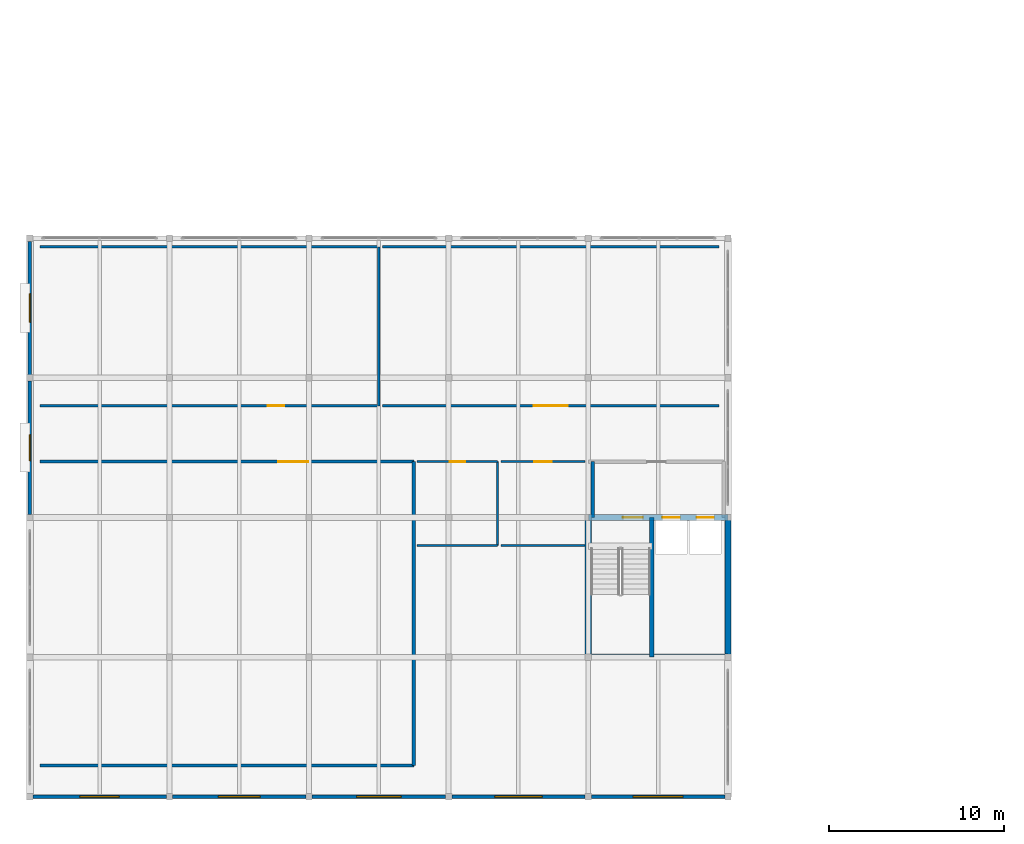
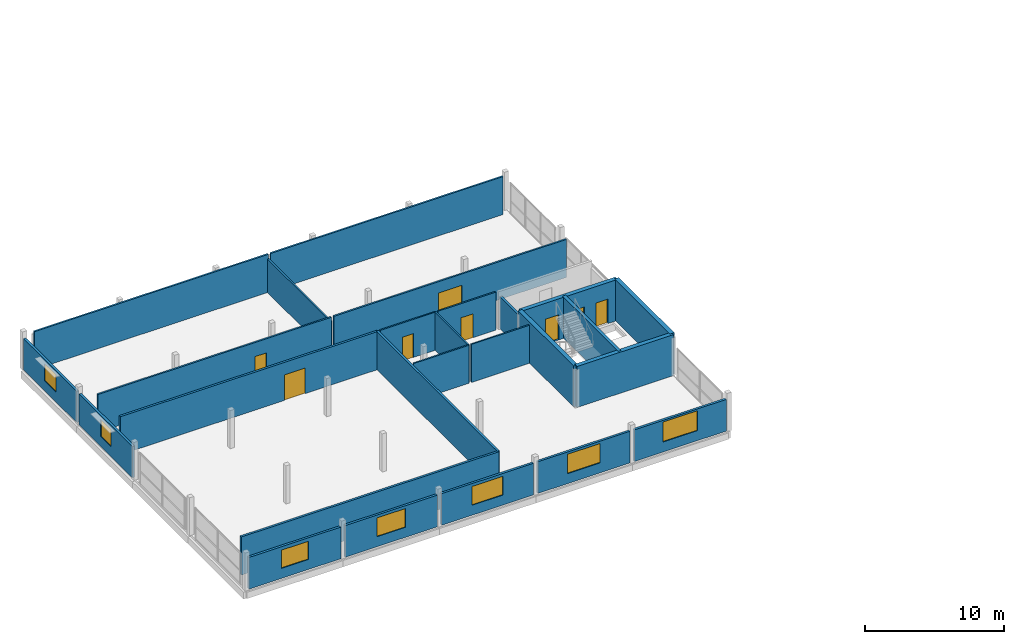
# One storey, part 12 of 22: 26 walls, 8 doors, 7 windows, 15 openings.
"""IFC4 building model written with IfcOpenShell, lengths in metres."""

from ifc_helpers import new_model, si_unit, direction, frame, frame_2d, origin, place, context, subcontext, project, spatial, rectangle, extrude, material, layer, layer_set, type_object, element, fill, save


model = new_model("IFC4")

# Units and contexts
model_context = context("Model", 3, precision=1e-05, world=origin(), true_north=direction((0.0, 1.0)))
body_context = subcontext(model_context, "Body", "Model", "MODEL_VIEW")
ifc_project = project(units=[si_unit("LENGTHUNIT", "METRE"), si_unit("AREAUNIT", "SQUARE_METRE"), si_unit("VOLUMEUNIT", "CUBIC_METRE"), si_unit("PLANEANGLEUNIT", "RADIAN"), si_unit("MASSUNIT", "GRAM", prefix="KILO")], contexts=[model_context])

# Site, building, storey
site_placement = place(None, origin())
site = spatial("IfcSite", under=ifc_project, at=site_placement, CompositionType="ELEMENT")
building_placement = place(site_placement, origin())
building = spatial("IfcBuilding", under=site, at=building_placement, Name="Vharandega Faculty of Natural Sciences", CompositionType="ELEMENT")
storey_placement = place(building_placement, frame((0.0, 0.0, 28.800048828125)))
storey = spatial("IfcBuildingStorey", under=building, at=storey_placement, Name="L07", CompositionType="ELEMENT", Elevation=28.800048828125)

# Wall
ifc_material_1 = material(Name="Acoustic masonry blockwork 15 MPa", Category="masonry")
ifc_layer_1 = layer(ifc_material_1, 0.179931640625, Name="Acoustic masonry blockwork 15 MPa")
ifc_layer_set_1 = layer_set([ifc_layer_1], Name="Acoustic masonry blockwork 15 MPa")
wall_type_1 = type_object("IfcWallType", Name="Acoustic Lecture Wall 180", PredefinedType="PARTITIONING", material=ifc_layer_set_1)
wall_1_placement = place(storey_placement, frame((0.60009765625, 33.800048828125, 0.0), z_axis=(0.0, 0.0, 1.0), x_axis=(1.0, 0.0, 0.0)))
element("IfcWall", 1, at=wall_1_placement, inside=storey, type_object=wall_type_1, Name="Interior Wall PW-L07-R01S", PredefinedType="PARTITIONING", context=body_context, shape_type="SweptSolid", body=[
    extrude(rectangle(XDim=21.39990234375, YDim=0.179931640625, at=frame_2d((10.699951171875, 0.0))), origin(), (0.0, 0.0, 1.0), 3.33984375),
])

# Wall, opening, door
wall_2_placement = place(storey_placement, frame((0.60009765625, 51.199951171875, 0.0), z_axis=(0.0, 0.0, 1.0), x_axis=(1.0, 0.0, 0.0)))
wall_2 = element("IfcWall", 2, at=wall_2_placement, inside=storey, type_object=wall_type_1, Name="Interior Wall PW-L07-R01N", PredefinedType="PARTITIONING", context=body_context, shape_type="SweptSolid", body=[
    extrude(rectangle(XDim=21.39990234375, YDim=0.179931640625, at=frame_2d((10.699951171875, 0.0))), origin(), (0.0, 0.0, 1.0), 3.33984375),
])
opening_1_placement = place(wall_2_placement, frame((13.64990234375, 0.0, 0.0)))
opening_1 = element("IfcOpeningElement", 3, at=opening_1_placement, cuts=wall_2, Name="Opening D0337", PredefinedType="OPENING", context=body_context, shape_type="SweptSolid", body=[
    extrude(rectangle(XDim=1.699951171875, YDim=2.25, at=frame_2d((0.85009765625, 1.125))), frame((0.0, 0.10009765625, 0.0), z_axis=(0.0, -1.0, 0.0), x_axis=(1.0, 0.0, 0.0)), (0.0, 0.0, 1.0), 0.199951171875),
])
ifc_material_2 = material(Name="Solid-core hardwood timber fire door", Category="wood")
door_type_1 = type_object("IfcDoorType", Name="ID01-LECTURE-DBL-1700x2250", OperationType="DOUBLE_DOOR_SINGLE_SWING", PredefinedType="DOOR", material=ifc_material_2)
door_1_placement = place(opening_1_placement, origin())
door_1 = element("IfcDoor", 4, at=door_1_placement, inside=storey, type_object=door_type_1, Name="West Wing Colloquium Hall 701 Door D0337", OperationType="DOUBLE_DOOR_SINGLE_SWING", OverallHeight=2.25, OverallWidth=1.699951171875, PredefinedType="DOOR", context=body_context, shape_type="SweptSolid", body=[
    extrude(rectangle(XDim=1.699951171875, YDim=2.25, at=frame_2d((0.85009765625, 1.125))), frame((0.0, 0.02490234375, 0.0), z_axis=(0.0, -1.0, 0.0), x_axis=(1.0, 0.0, 0.0)), (0.0, 0.0, 1.0), 0.050048828125),
])
fill(opening_1, door_1)

# Walls
wall_3_placement = place(storey_placement, frame((22.0, 33.800048828125, 0.0), z_axis=(0.0, 0.0, 1.0), x_axis=(0.0, 1.0, 0.0)))
element("IfcWall", 5, at=wall_3_placement, inside=storey, type_object=wall_type_1, Name="Interior Wall PW-L07-R01E", PredefinedType="PARTITIONING", context=body_context, shape_type="SweptSolid", body=[
    extrude(rectangle(XDim=17.39990234375, YDim=0.179931640625, at=frame_2d((8.699951171875, 0.0))), origin(), (0.0, 0.0, 1.0), 3.33984375),
])
ifc_material_3 = material(Name="Concrete C40/50", Category="concrete")
ifc_layer_2 = layer(ifc_material_3, 0.35009765625, Name="Concrete C40/50")
ifc_layer_set_2 = layer_set([ifc_layer_2], Name="Concrete C40/50")
wall_type_2 = type_object("IfcWallType", Name="Core Shear Wall 350", PredefinedType="SHEAR", material=ifc_layer_set_2)
for number, where, z_axis, x_axis, name in (
    (6, (32.0, 40.0, 0.0), (0.0, 0.0, 1.0), (1.0, 0.0, 0.0), "Interior Wall CW-C3-L07-S"),
    (7, (32.0, 40.0, 0.0), (0.0, 0.0, 1.0), (0.0, 1.0, 0.0), "Interior Wall CW-C3-L07-W"),
    (8, (40.0, 40.0, 0.0), (0.0, 0.0, 1.0), (0.0, 1.0, 0.0), "Interior Wall CW-C3-L07-E"),
):
    element("IfcWall", number, at=place(storey_placement, frame(where, z_axis=z_axis, x_axis=x_axis)), inside=storey, type_object=wall_type_2, Name=name, PredefinedType="SHEAR", context=body_context, shape_type="SweptSolid", body=[
        extrude(rectangle(XDim=8.0, YDim=0.35009765625, at=frame_2d((4.0, 0.0))), origin(), (0.0, 0.0, 1.0), 3.599853515625),
    ])

# Wall, openings, doors
wall_4_placement = place(storey_placement, frame((32.0, 48.0, 0.0), z_axis=(0.0, 0.0, 1.0), x_axis=(1.0, 0.0, 0.0)))
wall_4 = element("IfcWall", 9, at=wall_4_placement, inside=storey, type_object=wall_type_2, Name="Interior Wall CW-C3-L07-N", PredefinedType="SHEAR", context=body_context, shape_type="SweptSolid", body=[
    extrude(rectangle(XDim=8.0, YDim=0.35009765625, at=frame_2d((4.0, 0.0))), origin(), (0.0, 0.0, 1.0), 3.599853515625),
])
opening_2_placement = place(wall_4_placement, frame((1.97998046875, 0.0, 0.0)))
opening_2 = element("IfcOpeningElement", 10, at=opening_2_placement, cuts=wall_4, Name="Opening FD1", PredefinedType="OPENING", context=body_context, shape_type="SweptSolid", body=[
    extrude(rectangle(XDim=1.14990234375, YDim=2.199951171875, at=frame_2d((0.574951171875, 1.10009765625))), frame((0.0, 0.18505859375, 0.0), z_axis=(0.0, -1.0, 0.0), x_axis=(1.0, 0.0, 0.0)), (0.0, 0.0, 1.0), 0.3701171875),
])
opening_3_placement = place(wall_4_placement, frame((4.25, 0.0, 0.0)))
opening_3 = element("IfcOpeningElement", 11, at=opening_3_placement, cuts=wall_4, Name="Opening LD-LP3-L07", PredefinedType="OPENING", context=body_context, shape_type="SweptSolid", body=[
    extrude(rectangle(XDim=1.0, YDim=2.14990234375, at=frame_2d((0.5, 1.074951171875))), frame((0.0, 0.18505859375, 0.0), z_axis=(0.0, -1.0, 0.0), x_axis=(1.0, 0.0, 0.0)), (0.0, 0.0, 1.0), 0.3701171875),
])
opening_4_placement = place(wall_4_placement, frame((6.199951171875, 0.0, 0.0)))
opening_4 = element("IfcOpeningElement", 12, at=opening_4_placement, cuts=wall_4, Name="Opening LD-LP4-L07", PredefinedType="OPENING", context=body_context, shape_type="SweptSolid", body=[
    extrude(rectangle(XDim=1.0, YDim=2.14990234375, at=frame_2d((0.5, 1.074951171875))), frame((0.0, 0.18505859375, 0.0), z_axis=(0.0, -1.0, 0.0), x_axis=(1.0, 0.0, 0.0)), (0.0, 0.0, 1.0), 0.3701171875),
])
ifc_material_4 = material(Name="Solid-core hardwood timber fire door", Category="wood")
door_type_2 = type_object("IfcDoorType", Name="FD1-STAIR-1150x2200", OperationType="NOTDEFINED", PredefinedType="DOOR", material=ifc_material_4)
door_2_placement = place(opening_2_placement, origin())
door_2 = element("IfcDoor", 13, at=door_2_placement, inside=storey, type_object=door_type_2, Name="Stair ST3 Fire Door FD1", OperationType="SINGLE_SWING_LEFT", OverallHeight=2.199951171875, OverallWidth=1.14990234375, PredefinedType="DOOR", context=body_context, shape_type="SweptSolid", body=[
    extrude(rectangle(XDim=1.14990234375, YDim=2.199951171875, at=frame_2d((0.574951171875, 1.10009765625))), frame((0.0, 0.02490234375, 0.0), z_axis=(0.0, -1.0, 0.0), x_axis=(1.0, 0.0, 0.0)), (0.0, 0.0, 1.0), 0.050048828125),
])
fill(opening_2, door_2)
ifc_material_5 = material(Name="Brushed stainless steel sliding landing door", Category="steel")
door_type_3 = type_object("IfcDoorType", Name="LD2-PAXLIFT-SLIDING-1000x2150", OperationType="DOUBLE_DOOR_SLIDING", PredefinedType="DOOR", material=ifc_material_5)
door_3_placement = place(opening_3_placement, origin())
door_3 = element("IfcDoor", 14, at=door_3_placement, inside=storey, type_object=door_type_3, Name="Lift Landing Door LD-LP3-L07", OperationType="DOUBLE_DOOR_SLIDING", OverallHeight=2.14990234375, OverallWidth=1.0, PredefinedType="DOOR", context=body_context, shape_type="SweptSolid", body=[
    extrude(rectangle(XDim=1.0, YDim=2.14990234375, at=frame_2d((0.5, 1.074951171875))), frame((0.0, 0.02490234375, 0.0), z_axis=(0.0, -1.0, 0.0), x_axis=(1.0, 0.0, 0.0)), (0.0, 0.0, 1.0), 0.050048828125),
])
fill(opening_3, door_3)
door_4_placement = place(opening_4_placement, origin())
door_4 = element("IfcDoor", 15, at=door_4_placement, inside=storey, type_object=door_type_3, Name="Lift Landing Door LD-LP4-L07", OperationType="DOUBLE_DOOR_SLIDING", OverallHeight=2.14990234375, OverallWidth=1.0, PredefinedType="DOOR", context=body_context, shape_type="SweptSolid", body=[
    extrude(rectangle(XDim=1.0, YDim=2.14990234375, at=frame_2d((0.5, 1.074951171875))), frame((0.0, 0.02490234375, 0.0), z_axis=(0.0, -1.0, 0.0), x_axis=(1.0, 0.0, 0.0)), (0.0, 0.0, 1.0), 0.050048828125),
])
fill(opening_4, door_4)

# Walls
ifc_material_6 = material(Name="Concrete C40/50", Category="concrete")
ifc_layer_3 = layer(ifc_material_6, 0.199951171875, Name="Concrete C40/50")
ifc_layer_set_3 = layer_set([ifc_layer_3], Name="Concrete C40/50")
wall_type_3 = type_object("IfcWallType", Name="Firefighting Lobby Wall 200", PredefinedType="PARTITIONING", material=ifc_layer_set_3)
wall_5_placement = place(storey_placement, frame((32.25, 48.0, 0.0), z_axis=(0.0, 0.0, 1.0), x_axis=(0.0, 1.0, 0.0)))
element("IfcWall", 16, at=wall_5_placement, inside=storey, type_object=wall_type_3, Name="Interior Wall PW-LL-C3-L07-W", PredefinedType="PARTITIONING", context=body_context, shape_type="SweptSolid", body=[
    extrude(rectangle(XDim=3.199951171875, YDim=0.199951171875, at=frame_2d((1.60009765625, 0.0))), origin(), (0.0, 0.0, 1.0), 2.780029296875),
])
ifc_material_7 = material(Name="Concrete C40/50", Category="concrete")
ifc_layer_4 = layer(ifc_material_7, 0.260009765625, Name="Concrete C40/50")
ifc_layer_set_4 = layer_set([ifc_layer_4], Name="Concrete C40/50")
wall_type_4 = type_object("IfcWallType", Name="Lift Shaft Shear Wall 260", PredefinedType="SHEAR", material=ifc_layer_set_4)
wall_6_placement = place(storey_placement, frame((35.639892578125, 40.0, 0.0), z_axis=(0.0, 0.0, 1.0), x_axis=(0.0, 1.0, 0.0)))
element("IfcWall", 17, at=wall_6_placement, inside=storey, type_object=wall_type_4, Name="Interior Wall CW-C3-L07-DIV", PredefinedType="SHEAR", context=body_context, shape_type="SweptSolid", body=[
    extrude(rectangle(XDim=8.0, YDim=0.260009765625, at=frame_2d((4.0, 0.0))), origin(), (0.0, 0.0, 1.0), 3.599853515625),
])

# Wall, opening, door
ifc_material_8 = material(Name="Gypsum acoustic partition", Category="gypsum")
ifc_layer_5 = layer(ifc_material_8, 0.139892578125, Name="Gypsum acoustic partition")
ifc_layer_set_5 = layer_set([ifc_layer_5], Name="Gypsum acoustic partition")
wall_type_5 = type_object("IfcWallType", Name="Room Partition Wall 140", PredefinedType="PARTITIONING", material=ifc_layer_set_5)
wall_7_placement = place(storey_placement, frame((0.60009765625, 54.39990234375, 0.0), z_axis=(0.0, 0.0, 1.0), x_axis=(1.0, 0.0, 0.0)))
wall_7 = element("IfcWall", 18, at=wall_7_placement, inside=storey, type_object=wall_type_5, Name="Interior Wall PW-L07-R04S", PredefinedType="PARTITIONING", context=body_context, shape_type="SweptSolid", body=[
    extrude(rectangle(XDim=19.39990234375, YDim=0.139892578125, at=frame_2d((9.699951171875, 0.0))), origin(), (0.0, 0.0, 1.0), 3.33984375),
])
opening_5_placement = place(wall_7_placement, frame((13.02490234375, 0.0, 0.0)))
opening_5 = element("IfcOpeningElement", 19, at=opening_5_placement, cuts=wall_7, Name="Opening D0340", PredefinedType="OPENING", context=body_context, shape_type="SweptSolid", body=[
    extrude(rectangle(XDim=0.949951171875, YDim=2.10009765625, at=frame_2d((0.47509765625, 1.050048828125))), frame((0.0, 0.080078125, 0.0), z_axis=(0.0, -1.0, 0.0), x_axis=(1.0, 0.0, 0.0)), (0.0, 0.0, 1.0), 0.159912109375),
])
ifc_material_9 = material(Name="Solid-core hardwood timber fire door", Category="wood")
door_type_4 = type_object("IfcDoorType", Name="ID04-OFFICE-0950x2100", OperationType="NOTDEFINED", PredefinedType="DOOR", material=ifc_material_9)
door_5_placement = place(opening_5_placement, origin())
door_5 = element("IfcDoor", 20, at=door_5_placement, inside=storey, type_object=door_type_4, Name="Academic Staff Office Suite 7A Door D0340", OperationType="SINGLE_SWING_RIGHT", OverallHeight=2.10009765625, OverallWidth=0.949951171875, PredefinedType="DOOR", context=body_context, shape_type="SweptSolid", body=[
    extrude(rectangle(XDim=0.949951171875, YDim=2.10009765625, at=frame_2d((0.47509765625, 1.050048828125))), frame((0.0, 0.02490234375, 0.0), z_axis=(0.0, -1.0, 0.0), x_axis=(1.0, 0.0, 0.0)), (0.0, 0.0, 1.0), 0.050048828125),
])
fill(opening_5, door_5)

# Walls
wall_8_placement = place(storey_placement, frame((0.60009765625, 63.5, 0.0), z_axis=(0.0, 0.0, 1.0), x_axis=(1.0, 0.0, 0.0)))
element("IfcWall", 21, at=wall_8_placement, inside=storey, type_object=wall_type_5, Name="Interior Wall PW-L07-R04N", PredefinedType="PARTITIONING", context=body_context, shape_type="SweptSolid", body=[
    extrude(rectangle(XDim=19.39990234375, YDim=0.139892578125, at=frame_2d((9.699951171875, 0.0))), origin(), (0.0, 0.0, 1.0), 3.33984375),
])
wall_9_placement = place(storey_placement, frame((20.0, 54.39990234375, 0.0), z_axis=(0.0, 0.0, 1.0), x_axis=(0.0, 1.0, 0.0)))
element("IfcWall", 22, at=wall_9_placement, inside=storey, type_object=wall_type_5, Name="Interior Wall PW-L07-R04E", PredefinedType="PARTITIONING", context=body_context, shape_type="SweptSolid", body=[
    extrude(rectangle(XDim=9.10009765625, YDim=0.139892578125, at=frame_2d((4.550048828125, 0.0))), origin(), (0.0, 0.0, 1.0), 2.93994140625),
])

# Wall, opening, door
wall_10_placement = place(storey_placement, frame((20.199951171875, 54.39990234375, 0.0), z_axis=(0.0, 0.0, 1.0), x_axis=(1.0, 0.0, 0.0)))
wall_10 = element("IfcWall", 23, at=wall_10_placement, inside=storey, type_object=wall_type_5, Name="Interior Wall PW-L07-R05S", PredefinedType="PARTITIONING", context=body_context, shape_type="SweptSolid", body=[
    extrude(rectangle(XDim=19.300048828125, YDim=0.139892578125, at=frame_2d((9.64990234375, 0.0))), origin(), (0.0, 0.0, 1.0), 3.33984375),
])
opening_6_placement = place(wall_10_placement, frame((8.675048828125, 0.0, 0.0)))
opening_6 = element("IfcOpeningElement", 24, at=opening_6_placement, cuts=wall_10, Name="Opening D0341", PredefinedType="OPENING", context=body_context, shape_type="SweptSolid", body=[
    extrude(rectangle(XDim=1.949951171875, YDim=2.35009765625, at=frame_2d((0.97509765625, 1.175048828125))), frame((0.0, 0.080078125, 0.0), z_axis=(0.0, -1.0, 0.0), x_axis=(1.0, 0.0, 0.0)), (0.0, 0.0, 1.0), 0.159912109375),
])
ifc_material_10 = material(Name="Solid-core hardwood timber fire door", Category="wood")
door_type_5 = type_object("IfcDoorType", Name="ID10-WORKSHOP-DBL-1950x2350", OperationType="DOUBLE_DOOR_SINGLE_SWING", PredefinedType="DOOR", material=ifc_material_10)
door_6_placement = place(opening_6_placement, origin())
door_6 = element("IfcDoor", 25, at=door_6_placement, inside=storey, type_object=door_type_5, Name="Earth-Science Seminar Room 702 Door D0341", OperationType="DOUBLE_DOOR_SINGLE_SWING", OverallHeight=2.35009765625, OverallWidth=1.949951171875, PredefinedType="DOOR", context=body_context, shape_type="SweptSolid", body=[
    extrude(rectangle(XDim=1.949951171875, YDim=2.35009765625, at=frame_2d((0.97509765625, 1.175048828125))), frame((0.0, 0.02490234375, 0.0), z_axis=(0.0, -1.0, 0.0), x_axis=(1.0, 0.0, 0.0)), (0.0, 0.0, 1.0), 0.050048828125),
])
fill(opening_6, door_6)

# Walls
wall_11_placement = place(storey_placement, frame((20.199951171875, 63.5, 0.0), z_axis=(0.0, 0.0, 1.0), x_axis=(1.0, 0.0, 0.0)))
element("IfcWall", 26, at=wall_11_placement, inside=storey, type_object=wall_type_5, Name="Interior Wall PW-L07-R05N", PredefinedType="PARTITIONING", context=body_context, shape_type="SweptSolid", body=[
    extrude(rectangle(XDim=19.300048828125, YDim=0.139892578125, at=frame_2d((9.64990234375, 0.0))), origin(), (0.0, 0.0, 1.0), 3.33984375),
])
ifc_material_11 = material(Name="Moisture-resistant gypsum partition", Category="gypsum")
ifc_layer_6 = layer(ifc_material_11, 0.1201171875, Name="Moisture-resistant gypsum partition")
ifc_layer_set_6 = layer_set([ifc_layer_6], Name="Moisture-resistant gypsum partition")
wall_type_6 = type_object("IfcWallType", Name="Sanitary Wet Wall 120", PredefinedType="PARTITIONING", material=ifc_layer_set_6)
wall_12_placement = place(storey_placement, frame((22.199951171875, 46.39990234375, 0.0), z_axis=(0.0, 0.0, 1.0), x_axis=(1.0, 0.0, 0.0)))
element("IfcWall", 27, at=wall_12_placement, inside=storey, type_object=wall_type_6, Name="Interior Wall PW-L07-R02S", PredefinedType="PARTITIONING", context=body_context, shape_type="SweptSolid", body=[
    extrude(rectangle(XDim=4.60009765625, YDim=0.1201171875, at=frame_2d((2.300048828125, 0.0))), origin(), (0.0, 0.0, 1.0), 3.33984375),
])

# Wall, opening, door
wall_13_placement = place(storey_placement, frame((22.199951171875, 51.199951171875, 0.0), z_axis=(0.0, 0.0, 1.0), x_axis=(1.0, 0.0, 0.0)))
wall_13 = element("IfcWall", 28, at=wall_13_placement, inside=storey, type_object=wall_type_6, Name="Interior Wall PW-L07-R02N", PredefinedType="PARTITIONING", context=body_context, shape_type="SweptSolid", body=[
    extrude(rectangle(XDim=4.60009765625, YDim=0.1201171875, at=frame_2d((2.300048828125, 0.0))), origin(), (0.0, 0.0, 1.0), 3.33984375),
])
opening_7_placement = place(wall_13_placement, frame((1.860107421875, 0.0, 0.0)))
opening_7 = element("IfcOpeningElement", 29, at=opening_7_placement, cuts=wall_13, Name="Opening D0338", PredefinedType="OPENING", context=body_context, shape_type="SweptSolid", body=[
    extrude(rectangle(XDim=0.8798828125, YDim=2.10009765625, at=frame_2d((0.43994140625, 1.050048828125))), frame((0.0, 0.070068359375, 0.0), z_axis=(0.0, -1.0, 0.0), x_axis=(1.0, 0.0, 0.0)), (0.0, 0.0, 1.0), 0.14013671875),
])
ifc_material_12 = material(Name="Solid-core hardwood timber fire door", Category="wood")
door_type_6 = type_object("IfcDoorType", Name="ID06-WC-0880x2100", OperationType="NOTDEFINED", PredefinedType="DOOR", material=ifc_material_12)
door_7_placement = place(opening_7_placement, origin())
door_7 = element("IfcDoor", 30, at=door_7_placement, inside=storey, type_object=door_type_6, Name="L07 West Wing Washroom Door D0338", OperationType="SINGLE_SWING_RIGHT", OverallHeight=2.10009765625, OverallWidth=0.8798828125, PredefinedType="DOOR", context=body_context, shape_type="SweptSolid", body=[
    extrude(rectangle(XDim=0.8798828125, YDim=2.10009765625, at=frame_2d((0.43994140625, 1.050048828125))), frame((0.0, 0.02490234375, 0.0), z_axis=(0.0, -1.0, 0.0), x_axis=(1.0, 0.0, 0.0)), (0.0, 0.0, 1.0), 0.050048828125),
])
fill(opening_7, door_7)

# Walls
for number, where, z_axis, x_axis, name in (
    (31, (26.800048828125, 46.39990234375, 0.0), (0.0, 0.0, 1.0), (0.0, 1.0, 0.0), "Interior Wall PW-L07-R02E"),
    (32, (27.0, 46.39990234375, 0.0), (0.0, 0.0, 1.0), (1.0, 0.0, 0.0), "Interior Wall PW-L07-R03S"),
):
    element("IfcWall", number, at=place(storey_placement, frame(where, z_axis=z_axis, x_axis=x_axis)), inside=storey, type_object=wall_type_6, Name=name, PredefinedType="PARTITIONING", context=body_context, shape_type="SweptSolid", body=[
        extrude(rectangle(XDim=4.800048828125, YDim=0.1201171875, at=frame_2d((2.39990234375, 0.0))), origin(), (0.0, 0.0, 1.0), 3.33984375),
    ])

# Wall, opening, door
wall_14_placement = place(storey_placement, frame((27.0, 51.199951171875, 0.0), z_axis=(0.0, 0.0, 1.0), x_axis=(1.0, 0.0, 0.0)))
wall_14 = element("IfcWall", 33, at=wall_14_placement, inside=storey, type_object=wall_type_6, Name="Interior Wall PW-L07-R03N", PredefinedType="PARTITIONING", context=body_context, shape_type="SweptSolid", body=[
    extrude(rectangle(XDim=4.800048828125, YDim=0.1201171875, at=frame_2d((2.39990234375, 0.0))), origin(), (0.0, 0.0, 1.0), 3.33984375),
])
opening_8_placement = place(wall_14_placement, frame((1.889892578125, 0.0, 0.0)))
opening_8 = element("IfcOpeningElement", 34, at=opening_8_placement, cuts=wall_14, Name="Opening D0339", PredefinedType="OPENING", context=body_context, shape_type="SweptSolid", body=[
    extrude(rectangle(XDim=1.02001953125, YDim=2.10009765625, at=frame_2d((0.510009765625, 1.050048828125))), frame((0.0, 0.070068359375, 0.0), z_axis=(0.0, -1.0, 0.0), x_axis=(1.0, 0.0, 0.0)), (0.0, 0.0, 1.0), 0.14013671875),
])
ifc_material_13 = material(Name="Solid-core hardwood timber fire door", Category="wood")
door_type_7 = type_object("IfcDoorType", Name="ID07-ACCWC-1020x2100", OperationType="NOTDEFINED", PredefinedType="DOOR", material=ifc_material_13)
door_8_placement = place(opening_8_placement, origin())
door_8 = element("IfcDoor", 35, at=door_8_placement, inside=storey, type_object=door_type_7, Name="L07 West Accessible WC Door D0339", OperationType="SINGLE_SWING_LEFT", OverallHeight=2.10009765625, OverallWidth=1.02001953125, PredefinedType="DOOR", context=body_context, shape_type="SweptSolid", body=[
    extrude(rectangle(XDim=1.02001953125, YDim=2.10009765625, at=frame_2d((0.510009765625, 1.050048828125))), frame((0.0, 0.02490234375, 0.0), z_axis=(0.0, -1.0, 0.0), x_axis=(1.0, 0.0, 0.0)), (0.0, 0.0, 1.0), 0.050048828125),
])
fill(opening_8, door_8)

# Wall, opening, window
ifc_material_14 = material(Name="Precast concrete C40/50", Category="concrete")
ifc_layer_7 = layer(ifc_material_14, 0.18994140625, Name="Precast concrete C40/50")
ifc_layer_set_7 = layer_set([ifc_layer_7], Name="Precast concrete C40/50")
wall_type_7 = type_object("IfcWallType", Name="Terracotta Spandrel Wall 190", PredefinedType="SOLIDWALL", material=ifc_layer_set_7)
wall_15_placement = place(storey_placement, frame((0.0, 48.177978515625, 0.0), z_axis=(0.0, 0.0, 1.0), x_axis=(0.0, 1.0, 0.0)))
wall_15 = element("IfcWall", 36, at=wall_15_placement, inside=storey, type_object=wall_type_7, Name="Exterior Wall EW-V5W-L07-G", PredefinedType="SOLIDWALL", context=body_context, shape_type="SweptSolid", body=[
    extrude(rectangle(XDim=7.64404296875, YDim=0.18994140625, at=frame_2d((3.822021484375, 0.0))), origin(), (0.0, 0.0, 1.0), 2.739990234375),
])
opening_9_placement = place(wall_15_placement, frame((3.072021484375, 0.0, 0.8798828125)))
opening_9 = element("IfcOpeningElement", 37, at=opening_9_placement, cuts=wall_15, Name="Opening WN-18", PredefinedType="OPENING", context=body_context, shape_type="SweptSolid", body=[
    extrude(rectangle(XDim=1.5, YDim=1.5, at=frame_2d((0.75, 0.75))), frame((0.0, 0.10498046875, 0.0), z_axis=(0.0, -1.0, 0.0), x_axis=(1.0, 0.0, 0.0)), (0.0, 0.0, 1.0), 0.2099609375),
])
ifc_material_15 = material(Name="Double-glazed solar-control glass in thermally broken aluminium frame", Category="aluminium")
window_type_1 = type_object("IfcWindowType", Name="WIN-SEM-150x150", PartitioningType="SINGLE_PANEL", PredefinedType="WINDOW", material=ifc_material_15)
window_1_placement = place(opening_9_placement, origin())
window_1 = element("IfcWindow", 38, at=window_1_placement, inside=storey, type_object=window_type_1, Name="Window WIN-L07-0284", OverallHeight=1.5, OverallWidth=1.5, PartitioningType="SINGLE_PANEL", PredefinedType="WINDOW", context=body_context, shape_type="SweptSolid", body=[
    extrude(rectangle(XDim=1.5, YDim=1.5, at=frame_2d((0.75, 0.75))), frame((0.0, 0.030029296875, 0.0), z_axis=(0.0, -1.0, 0.0), x_axis=(1.0, 0.0, 0.0)), (0.0, 0.0, 1.0), 0.06005859375),
])
fill(opening_9, window_1)

wall_16_placement = place(storey_placement, frame((0.0, 56.177978515625, 0.0), z_axis=(0.0, 0.0, 1.0), x_axis=(0.0, 1.0, 0.0)))
wall_16 = element("IfcWall", 39, at=wall_16_placement, inside=storey, type_object=wall_type_7, Name="Exterior Wall EW-V5W-L07-H", PredefinedType="SOLIDWALL", context=body_context, shape_type="SweptSolid", body=[
    extrude(rectangle(XDim=7.64404296875, YDim=0.18994140625, at=frame_2d((3.822021484375, 0.0))), origin(), (0.0, 0.0, 1.0), 2.739990234375),
])
opening_10_placement = place(wall_16_placement, frame((2.9970703125, 0.0, 0.8798828125)))
opening_10 = element("IfcOpeningElement", 40, at=opening_10_placement, cuts=wall_16, Name="Opening WN-19", PredefinedType="OPENING", context=body_context, shape_type="SweptSolid", body=[
    extrude(rectangle(XDim=1.64990234375, YDim=1.5, at=frame_2d((0.824951171875, 0.75))), frame((0.0, 0.10498046875, 0.0), z_axis=(0.0, -1.0, 0.0), x_axis=(1.0, 0.0, 0.0)), (0.0, 0.0, 1.0), 0.2099609375),
])
ifc_material_16 = material(Name="Double-glazed solar-control glass in thermally broken aluminium frame", Category="aluminium")
window_type_2 = type_object("IfcWindowType", Name="WIN-SEM-165x150", PartitioningType="SINGLE_PANEL", PredefinedType="WINDOW", material=ifc_material_16)
window_2_placement = place(opening_10_placement, origin())
window_2 = element("IfcWindow", 41, at=window_2_placement, inside=storey, type_object=window_type_2, Name="Window WIN-L07-0285", OverallHeight=1.5, OverallWidth=1.64990234375, PartitioningType="SINGLE_PANEL", PredefinedType="WINDOW", context=body_context, shape_type="SweptSolid", body=[
    extrude(rectangle(XDim=1.64990234375, YDim=1.5, at=frame_2d((0.824951171875, 0.75))), frame((0.0, 0.030029296875, 0.0), z_axis=(0.0, -1.0, 0.0), x_axis=(1.0, 0.0, 0.0)), (0.0, 0.0, 1.0), 0.06005859375),
])
fill(opening_10, window_2)

wall_17_placement = place(storey_placement, frame((7.822021484375, 32.0, 0.0), z_axis=(0.0, 0.0, 1.0), x_axis=(-1.0, 0.0, 0.0)))
wall_17 = element("IfcWall", 42, at=wall_17_placement, inside=storey, type_object=wall_type_7, Name="Exterior Wall EW-V5S-L07-1", PredefinedType="SOLIDWALL", context=body_context, shape_type="SweptSolid", body=[
    extrude(rectangle(XDim=7.64404296875, YDim=0.18994140625, at=frame_2d((3.822021484375, 0.0))), origin(), (0.0, 0.0, 1.0), 2.780029296875),
])
opening_11_placement = place(wall_17_placement, frame((2.697021484375, 0.0, 0.8798828125)))
opening_11 = element("IfcOpeningElement", 43, at=opening_11_placement, cuts=wall_17, Name="Opening WN-23", PredefinedType="OPENING", context=body_context, shape_type="SweptSolid", body=[
    extrude(rectangle(XDim=2.25, YDim=1.60009765625, at=frame_2d((1.125, 0.800048828125))), frame((0.0, 0.10498046875, 0.0), z_axis=(0.0, -1.0, 0.0), x_axis=(1.0, 0.0, 0.0)), (0.0, 0.0, 1.0), 0.2099609375),
])
ifc_material_17 = material(Name="Double-glazed solar-control glass in thermally broken aluminium frame", Category="aluminium")
window_type_3 = type_object("IfcWindowType", Name="WIN-SEM-225x160", PartitioningType="DOUBLE_PANEL_VERTICAL", PredefinedType="WINDOW", material=ifc_material_17)
window_3_placement = place(opening_11_placement, origin())
window_3 = element("IfcWindow", 44, at=window_3_placement, inside=storey, type_object=window_type_3, Name="Window WIN-L07-0286", OverallHeight=1.60009765625, OverallWidth=2.25, PartitioningType="SINGLE_PANEL", PredefinedType="WINDOW", context=body_context, shape_type="SweptSolid", body=[
    extrude(rectangle(XDim=2.25, YDim=1.60009765625, at=frame_2d((1.125, 0.800048828125))), frame((0.0, 0.030029296875, 0.0), z_axis=(0.0, -1.0, 0.0), x_axis=(1.0, 0.0, 0.0)), (0.0, 0.0, 1.0), 0.06005859375),
])
fill(opening_11, window_3)

wall_18_placement = place(storey_placement, frame((15.822021484375, 32.0, 0.0), z_axis=(0.0, 0.0, 1.0), x_axis=(-1.0, 0.0, 0.0)))
wall_18 = element("IfcWall", 45, at=wall_18_placement, inside=storey, type_object=wall_type_7, Name="Exterior Wall EW-V5S-L07-2", PredefinedType="SOLIDWALL", context=body_context, shape_type="SweptSolid", body=[
    extrude(rectangle(XDim=7.64404296875, YDim=0.18994140625, at=frame_2d((3.822021484375, 0.0))), origin(), (0.0, 0.0, 1.0), 2.780029296875),
])
opening_12_placement = place(wall_18_placement, frame((2.6220703125, 0.0, 0.8798828125)))
opening_12 = element("IfcOpeningElement", 46, at=opening_12_placement, cuts=wall_18, Name="Opening WN-24", PredefinedType="OPENING", context=body_context, shape_type="SweptSolid", body=[
    extrude(rectangle(XDim=2.39990234375, YDim=1.64990234375, at=frame_2d((1.199951171875, 0.824951171875))), frame((0.0, 0.10498046875, 0.0), z_axis=(0.0, -1.0, 0.0), x_axis=(1.0, 0.0, 0.0)), (0.0, 0.0, 1.0), 0.2099609375),
])
ifc_material_18 = material(Name="Double-glazed solar-control glass in thermally broken aluminium frame", Category="aluminium")
window_type_4 = type_object("IfcWindowType", Name="WIN-SEM-240x165", PartitioningType="DOUBLE_PANEL_VERTICAL", PredefinedType="WINDOW", material=ifc_material_18)
window_4_placement = place(opening_12_placement, origin())
window_4 = element("IfcWindow", 47, at=window_4_placement, inside=storey, type_object=window_type_4, Name="Window WIN-L07-0287", OverallHeight=1.64990234375, OverallWidth=2.39990234375, PartitioningType="SINGLE_PANEL", PredefinedType="WINDOW", context=body_context, shape_type="SweptSolid", body=[
    extrude(rectangle(XDim=2.39990234375, YDim=1.64990234375, at=frame_2d((1.199951171875, 0.824951171875))), frame((0.0, 0.030029296875, 0.0), z_axis=(0.0, -1.0, 0.0), x_axis=(1.0, 0.0, 0.0)), (0.0, 0.0, 1.0), 0.06005859375),
])
fill(opening_12, window_4)

wall_19_placement = place(storey_placement, frame((23.822021484375, 32.0, 0.0), z_axis=(0.0, 0.0, 1.0), x_axis=(-1.0, 0.0, 0.0)))
wall_19 = element("IfcWall", 48, at=wall_19_placement, inside=storey, type_object=wall_type_7, Name="Exterior Wall EW-V5S-L07-3", PredefinedType="SOLIDWALL", context=body_context, shape_type="SweptSolid", body=[
    extrude(rectangle(XDim=7.64404296875, YDim=0.18994140625, at=frame_2d((3.822021484375, 0.0))), origin(), (0.0, 0.0, 1.0), 2.780029296875),
])
opening_13_placement = place(wall_19_placement, frame((2.547119140625, 0.0, 0.8798828125)))
opening_13 = element("IfcOpeningElement", 49, at=opening_13_placement, cuts=wall_19, Name="Opening WN-25", PredefinedType="OPENING", context=body_context, shape_type="SweptSolid", body=[
    extrude(rectangle(XDim=2.550048828125, YDim=1.64990234375, at=frame_2d((1.27490234375, 0.824951171875))), frame((0.0, 0.10498046875, 0.0), z_axis=(0.0, -1.0, 0.0), x_axis=(1.0, 0.0, 0.0)), (0.0, 0.0, 1.0), 0.2099609375),
])
ifc_material_19 = material(Name="Double-glazed solar-control glass in thermally broken aluminium frame", Category="aluminium")
window_type_5 = type_object("IfcWindowType", Name="WIN-SEM-255x165", PartitioningType="DOUBLE_PANEL_VERTICAL", PredefinedType="WINDOW", material=ifc_material_19)
window_5_placement = place(opening_13_placement, origin())
window_5 = element("IfcWindow", 50, at=window_5_placement, inside=storey, type_object=window_type_5, Name="Window WIN-L07-0288", OverallHeight=1.64990234375, OverallWidth=2.550048828125, PartitioningType="SINGLE_PANEL", PredefinedType="WINDOW", context=body_context, shape_type="SweptSolid", body=[
    extrude(rectangle(XDim=2.550048828125, YDim=1.64990234375, at=frame_2d((1.27490234375, 0.824951171875))), frame((0.0, 0.030029296875, 0.0), z_axis=(0.0, -1.0, 0.0), x_axis=(1.0, 0.0, 0.0)), (0.0, 0.0, 1.0), 0.06005859375),
])
fill(opening_13, window_5)

wall_20_placement = place(storey_placement, frame((31.822021484375, 32.0, 0.0), z_axis=(0.0, 0.0, 1.0), x_axis=(-1.0, 0.0, 0.0)))
wall_20 = element("IfcWall", 51, at=wall_20_placement, inside=storey, type_object=wall_type_7, Name="Exterior Wall EW-V5S-L07-4", PredefinedType="SOLIDWALL", context=body_context, shape_type="SweptSolid", body=[
    extrude(rectangle(XDim=7.64404296875, YDim=0.18994140625, at=frame_2d((3.822021484375, 0.0))), origin(), (0.0, 0.0, 1.0), 2.780029296875),
])
opening_14_placement = place(wall_20_placement, frame((2.471923828125, 0.0, 0.8798828125)))
opening_14 = element("IfcOpeningElement", 52, at=opening_14_placement, cuts=wall_20, Name="Opening WN-26", PredefinedType="OPENING", context=body_context, shape_type="SweptSolid", body=[
    extrude(rectangle(XDim=2.699951171875, YDim=1.699951171875, at=frame_2d((1.35009765625, 0.85009765625))), frame((0.0, 0.10498046875, 0.0), z_axis=(0.0, -1.0, 0.0), x_axis=(1.0, 0.0, 0.0)), (0.0, 0.0, 1.0), 0.2099609375),
])
ifc_material_20 = material(Name="Double-glazed solar-control glass in thermally broken aluminium frame", Category="aluminium")
window_type_6 = type_object("IfcWindowType", Name="WIN-SEM-270x170", PartitioningType="DOUBLE_PANEL_VERTICAL", PredefinedType="WINDOW", material=ifc_material_20)
window_6_placement = place(opening_14_placement, origin())
window_6 = element("IfcWindow", 53, at=window_6_placement, inside=storey, type_object=window_type_6, Name="Window WIN-L07-0289", OverallHeight=1.699951171875, OverallWidth=2.699951171875, PartitioningType="SINGLE_PANEL", PredefinedType="WINDOW", context=body_context, shape_type="SweptSolid", body=[
    extrude(rectangle(XDim=2.699951171875, YDim=1.699951171875, at=frame_2d((1.35009765625, 0.85009765625))), frame((0.0, 0.030029296875, 0.0), z_axis=(0.0, -1.0, 0.0), x_axis=(1.0, 0.0, 0.0)), (0.0, 0.0, 1.0), 0.06005859375),
])
fill(opening_14, window_6)

wall_21_placement = place(storey_placement, frame((39.822021484375, 32.0, 0.0), z_axis=(0.0, 0.0, 1.0), x_axis=(-1.0, 0.0, 0.0)))
wall_21 = element("IfcWall", 54, at=wall_21_placement, inside=storey, type_object=wall_type_7, Name="Exterior Wall EW-V5S-L07-5", PredefinedType="SOLIDWALL", context=body_context, shape_type="SweptSolid", body=[
    extrude(rectangle(XDim=7.64404296875, YDim=0.18994140625, at=frame_2d((3.822021484375, 0.0))), origin(), (0.0, 0.0, 1.0), 2.780029296875),
])
opening_15_placement = place(wall_21_placement, frame((2.39697265625, 0.0, 0.8798828125)))
opening_15 = element("IfcOpeningElement", 55, at=opening_15_placement, cuts=wall_21, Name="Opening WN-27", PredefinedType="OPENING", context=body_context, shape_type="SweptSolid", body=[
    extrude(rectangle(XDim=2.85009765625, YDim=1.75, at=frame_2d((1.425048828125, 0.875))), frame((0.0, 0.10498046875, 0.0), z_axis=(0.0, -1.0, 0.0), x_axis=(1.0, 0.0, 0.0)), (0.0, 0.0, 1.0), 0.2099609375),
])
ifc_material_21 = material(Name="Double-glazed solar-control glass in thermally broken aluminium frame", Category="aluminium")
window_type_7 = type_object("IfcWindowType", Name="WIN-SEM-285x175", PartitioningType="DOUBLE_PANEL_VERTICAL", PredefinedType="WINDOW", material=ifc_material_21)
window_7_placement = place(opening_15_placement, origin())
window_7 = element("IfcWindow", 56, at=window_7_placement, inside=storey, type_object=window_type_7, Name="Window WIN-L07-0290", OverallHeight=1.75, OverallWidth=2.85009765625, PartitioningType="SINGLE_PANEL", PredefinedType="WINDOW", context=body_context, shape_type="SweptSolid", body=[
    extrude(rectangle(XDim=2.85009765625, YDim=1.75, at=frame_2d((1.425048828125, 0.875))), frame((0.0, 0.030029296875, 0.0), z_axis=(0.0, -1.0, 0.0), x_axis=(1.0, 0.0, 0.0)), (0.0, 0.0, 1.0), 0.06005859375),
])
fill(opening_15, window_7)

save(model, "model.ifc")
